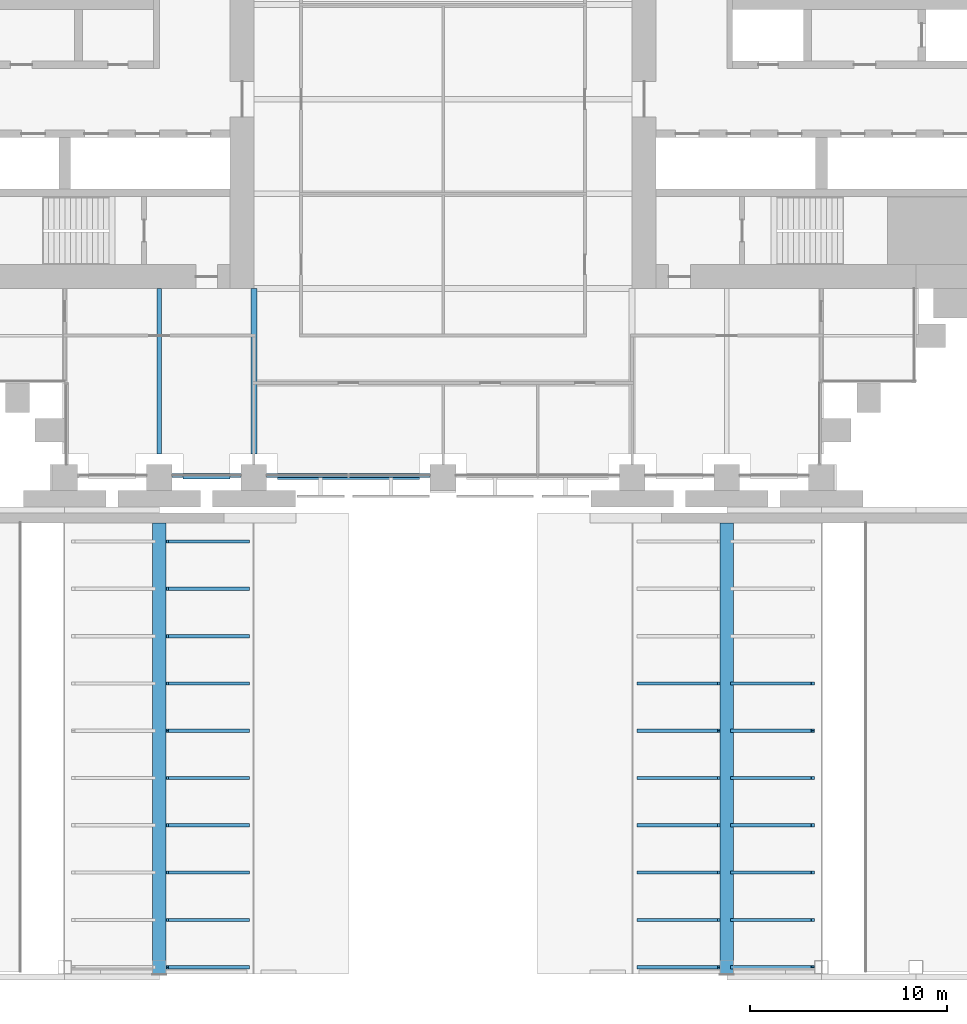
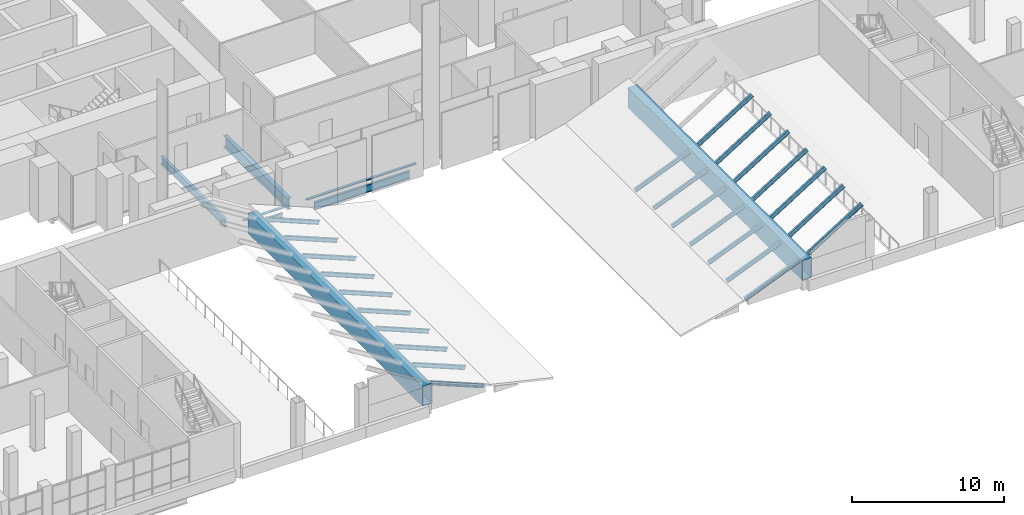
# One storey, part 7 of 32: 30 beams, 2 members, 1 element without a shape of its own.
"""IFC4 building model written with IfcOpenShell, lengths in metres."""

import ifcopenshell
import ifcopenshell.guid

model = None  # the IFC model being written
_history = None  # IfcOwnerHistory: only IFC2X3 demands one
_inside = {}  # id of a spatial element -> (the spatial element, [elements in it])
_under = {}  # id of a project, library or spatial element -> (it, [spatial elements below it])
_declared = {}  # id of a project -> (the project, [libraries it declares])
_typed = {}  # id of a type object -> (the type object, [elements of that type])
_made_of = {}  # id of a material, layer set ... -> (it, [elements and type objects made of it])


def new_model(schema):
    """Start an empty IFC model of exactly this schema.

    Asked for "IFC4X3", IfcOpenShell would pick the latest addendum, in which some entities
    have other attributes; the version numbers below select the first issue.
    IFC2X3 requires an IfcOwnerHistory on every rooted entity: one is made here for all.
    """
    global model, _history
    if schema == "IFC4X3":
        model = ifcopenshell.file(schema_version=(4, 3, 0, 0))
    else:
        model = ifcopenshell.file(schema=schema)
    _inside.clear()
    _under.clear()
    _declared.clear()
    _typed.clear()
    _made_of.clear()
    _history = None
    if model.schema == "IFC2X3":
        org = make("IfcOrganization", Name="unknown")
        user = make(
            "IfcPersonAndOrganization",
            ThePerson=make("IfcPerson", FamilyName="unknown"),
            TheOrganization=org,
        )
        app = make(
            "IfcApplication",
            ApplicationDeveloper=org,
            Version="unknown",
            ApplicationFullName="unknown",
            ApplicationIdentifier="unknown",
        )
        _history = make(
            "IfcOwnerHistory",
            OwningUser=user,
            OwningApplication=app,
            ChangeAction="ADDED",
            CreationDate=0,
        )
    return model


def make(cls, **values):
    """One entity of the class cls with the attributes given. An attribute that is None is left unset."""
    return model.create_entity(
        cls, **{name: value for name, value in values.items() if value is not None}
    )


def rooted(cls, **values):
    """An entity with a GlobalId (a new one), such as an element, a storey or a relation."""
    return make(cls, GlobalId=ifcopenshell.guid.new(), OwnerHistory=_history, **values)


def si_unit(unit_type, name, prefix=None):
    """IfcSIUnit, for example si_unit("LENGTHUNIT", "METRE", prefix="MILLI")."""
    return make("IfcSIUnit", UnitType=unit_type, Prefix=prefix, Name=name)


def assignment(units):
    """IfcUnitAssignment: the units of a project."""
    return None if units is None else make("IfcUnitAssignment", Units=units)


def point(xyz):
    """IfcCartesianPoint."""
    return None if xyz is None else make("IfcCartesianPoint", Coordinates=xyz)


def direction(xyz):
    """IfcDirection."""
    return None if xyz is None else make("IfcDirection", DirectionRatios=xyz)


def frame(location, z_axis=None, x_axis=None):
    """IfcAxis2Placement3D, a coordinate frame: its origin and axes. An axis left out is left unset."""
    return make(
        "IfcAxis2Placement3D",
        Location=point(location),
        Axis=direction(z_axis),
        RefDirection=direction(x_axis),
    )


def frame_2d(location, x_axis=None):
    """IfcAxis2Placement2D, a coordinate frame in the plane: its origin and x axis."""
    return make(
        "IfcAxis2Placement2D", Location=point(location), RefDirection=direction(x_axis)
    )


def origin():
    """The frame at (0, 0, 0) with its axes left unset."""
    return frame((0.0, 0.0, 0.0))


def origin_2d():
    """The frame at (0, 0) in the plane with its x axis left unset."""
    return frame_2d((0.0, 0.0))


def place(relative_to, where):
    """IfcLocalPlacement: puts the frame where relative to a parent placement (None: the world)."""
    return make(
        "IfcLocalPlacement", PlacementRelTo=relative_to, RelativePlacement=where
    )


def context(
    kind, dimensions, precision=None, world=None, true_north=None, identifier=None
):
    """IfcGeometricRepresentationContext, for example the 3D "Model" context."""
    return make(
        "IfcGeometricRepresentationContext",
        ContextIdentifier=identifier,
        ContextType=kind,
        CoordinateSpaceDimension=dimensions,
        Precision=precision,
        WorldCoordinateSystem=world,
        TrueNorth=true_north,
    )


def subcontext(parent, identifier, kind, view, scale=None):
    """IfcGeometricRepresentationSubContext, for example "Body" below "Model"."""
    return make(
        "IfcGeometricRepresentationSubContext",
        ContextIdentifier=identifier,
        ContextType=kind,
        ParentContext=parent,
        TargetScale=scale,
        TargetView=view,
    )


def project(units=None, contexts=None):
    """IfcProject with its units and contexts."""
    return rooted(
        "IfcProject",
        Name="project",
        RepresentationContexts=contexts,
        UnitsInContext=assignment(units),
    )


def spatial(cls, under=None, at=None, **own):
    """A site, building, storey or space (cls), placed at a placement, below another one or the project."""
    s = rooted(cls, ObjectPlacement=at, **own)
    if under is not None:
        _under.setdefault(under.id(), (under, []))[1].append(s)
    return s


def profile(cls, at=None, kind="AREA", **sizes):
    """A parametric profile (cls). Its sizes go by their IFC names, for example OverallWidth=200.0."""
    return make(cls, ProfileType=kind, Position=at, **sizes)


def rectangle(**sizes):
    """IfcRectangleProfileDef."""
    return profile("IfcRectangleProfileDef", **sizes)


def hollow_rectangle(**sizes):
    """IfcRectangleHollowProfileDef."""
    return profile("IfcRectangleHollowProfileDef", **sizes)


def i_section(**sizes):
    """IfcIShapeProfileDef."""
    return profile("IfcIShapeProfileDef", **sizes)


def extrude(swept, where, along, depth):
    """IfcExtrudedAreaSolid: the profile swept, set in the frame where, extruded along a direction by depth."""
    return make(
        "IfcExtrudedAreaSolid",
        SweptArea=swept,
        Position=where,
        ExtrudedDirection=direction(along),
        Depth=depth,
    )


def shape(context_of_items, identifier, shape_type, items):
    """IfcShapeRepresentation: the items that make up one representation, for example the "Body"."""
    return make(
        "IfcShapeRepresentation",
        ContextOfItems=context_of_items,
        RepresentationIdentifier=identifier,
        RepresentationType=shape_type,
        Items=items,
    )


def material(Name=None, Category=None):
    """IfcMaterial."""
    return make("IfcMaterial", Name=Name, Category=Category)


def material_profile(
    of_material, cross_section, Name=None, Category=None, Priority=None
):
    """IfcMaterialProfile: a cross section and its material."""
    return make(
        "IfcMaterialProfile",
        Name=Name,
        Material=of_material,
        Profile=cross_section,
        Priority=Priority,
        Category=Category,
    )


def profile_set(profiles, Name=None, composite=None):
    """IfcMaterialProfileSet."""
    return make(
        "IfcMaterialProfileSet",
        Name=Name,
        MaterialProfiles=profiles,
        CompositeProfile=composite,
    )


def made_of(thing, what):
    """Note that an element or type object is made of a material, layer set ...; save() writes the relation."""
    if what is not None:
        _made_of.setdefault(what.id(), (what, []))[1].append(thing)
    return thing


def type_object(cls, material=None, **own):
    """A type object (cls), such as IfcWallType, which elements share."""
    return made_of(rooted(cls, **own), material)


def element(
    cls,
    number,
    at=None,
    inside=None,
    cuts=None,
    type_object=None,
    material=None,
    context=None,
    identifier="Body",
    shape_type=None,
    held_by="IfcProductDefinitionShape",
    body=None,
    shapes=None,
    **own,
):
    """One element of the class cls, such as IfcWall. Its Tag is "e" and its number.

    at: its placement. inside: the storey or other place that contains it. cuts: it is an
    opening in that element (IfcRelVoidsElement). A single representation is given by context,
    identifier, shape_type and body (its items); several are given by shapes. held_by: the class
    of the entity that holds the representations. save() writes the other relations.
    """
    e = rooted(cls, Tag="e%d" % number, ObjectPlacement=at, **own)
    if body is not None:
        shapes = [shape(context, identifier, shape_type, body)]
    if shapes is not None:
        e.Representation = make(held_by, Representations=shapes)
    if inside is not None:
        _inside.setdefault(inside.id(), (inside, []))[1].append(e)
    if cuts is not None:
        rooted(
            "IfcRelVoidsElement", RelatingBuildingElement=cuts, RelatedOpeningElement=e
        )
    if type_object is not None:
        _typed.setdefault(type_object.id(), (type_object, []))[1].append(e)
    return made_of(e, material)


def aggregate(whole, parts):
    """IfcRelAggregates: a whole, such as a stair, and the parts it consists of."""
    return rooted("IfcRelAggregates", RelatingObject=whole, RelatedObjects=parts)


def save(model, path):
    """Write the relations noted so far, then the file.

    IfcRelAggregates (storeys below a building ...), IfcRelContainedInSpatialStructure (elements
    in a storey), IfcRelDefinesByType, IfcRelAssociatesMaterial and IfcRelDeclares: one each for
    every whole, place, type object, material and project.
    """
    for whole, parts in _under.values():
        aggregate(whole, parts)
    for where, things in _inside.values():
        rooted(
            "IfcRelContainedInSpatialStructure",
            RelatedElements=things,
            RelatingStructure=where,
        )
    for kind, things in _typed.values():
        rooted("IfcRelDefinesByType", RelatedObjects=things, RelatingType=kind)
    for what, things in _made_of.values():
        rooted("IfcRelAssociatesMaterial", RelatedObjects=things, RelatingMaterial=what)
    for by, libraries in _declared.values():
        rooted("IfcRelDeclares", RelatingContext=by, RelatedDefinitions=libraries)
    model.write(path)


model = new_model("IFC4")

# Units and contexts
model_context = context("Model", 3, precision=1e-05, world=origin(), true_north=direction((0.0, 1.0)))
body_context = subcontext(model_context, "Body", "Model", "MODEL_VIEW")
ifc_project = project(units=[si_unit("LENGTHUNIT", "METRE"), si_unit("AREAUNIT", "SQUARE_METRE"), si_unit("VOLUMEUNIT", "CUBIC_METRE"), si_unit("PLANEANGLEUNIT", "RADIAN"), si_unit("MASSUNIT", "GRAM", prefix="KILO")], contexts=[model_context])

# Site, building, storey
site_placement = place(None, origin())
site = spatial("IfcSite", under=ifc_project, at=site_placement, CompositionType="ELEMENT")
building_placement = place(site_placement, origin())
building = spatial("IfcBuilding", under=site, at=building_placement, Name="Baori Bourse Tower", CompositionType="ELEMENT")
storey_placement = place(building_placement, frame((0.0, 0.0, 12.60009765625)))
storey = spatial("IfcBuildingStorey", under=building, at=storey_placement, Name="L01", CompositionType="ELEMENT", Elevation=12.60009765625)

# Curtain wall, members
ifc_material_1 = material(Name="Pale anodised aluminium", Category="aluminium")
curtain_wall_type = type_object("IfcCurtainWallType", Name="CW1 Curtain wall", PredefinedType="NOTDEFINED", material=ifc_material_1)
curtain_wall_placement = place(storey_placement, origin())
curtain_wall = element("IfcCurtainWall", 1, at=curtain_wall_placement, inside=storey, type_object=curtain_wall_type, Name="Curtain wall CW1 L01 11", PredefinedType="NOTDEFINED")
ifc_material_2 = material(Name="Pale anodised aluminium", Category="aluminium")
ifc_material_profile_1 = material_profile(ifc_material_2, rectangle(XDim=0.199951171875, YDim=0.080078125, at=origin_2d()), Name="Transom 80x200")
ifc_profile_set_1 = profile_set([ifc_material_profile_1], Name="Pale anodised aluminium")
member_type = type_object("IfcMemberType", Name="CW1 Curtain wall transom", PredefinedType="USERDEFINED", material=ifc_profile_set_1)
member_1_placement = place(storey_placement, frame((15.050048828125, 0.10009765625, 0.039794921875), z_axis=(1.0, 0.0, 0.0), x_axis=(0.0, 1.0, 0.0)))
member_1 = element("IfcMember", 2, at=member_1_placement, type_object=member_type, Name="Curtain wall CW1 sill rail", ObjectType="TRANSOM", PredefinedType="USERDEFINED", context=body_context, shape_type="SweptSolid", body=[
    extrude(rectangle(XDim=0.199951171875, YDim=0.080078125, at=origin_2d()), origin(), (0.0, 0.0, 1.0), 3.5),
])
member_2_placement = place(storey_placement, frame((19.85009765625, 0.10009765625, 0.039794921875), z_axis=(1.0, 0.0, 0.0), x_axis=(0.0, 1.0, 0.0)))
member_2 = element("IfcMember", 3, at=member_2_placement, type_object=member_type, Name="Curtain wall CW1 sill rail", ObjectType="TRANSOM", PredefinedType="USERDEFINED", context=body_context, shape_type="SweptSolid", body=[
    extrude(rectangle(XDim=0.199951171875, YDim=0.080078125, at=origin_2d()), origin(), (0.0, 0.0, 1.0), 8.2998046875),
])
aggregate(curtain_wall, [member_1, member_2])

# Beams
ifc_material_3 = material(Name="Steel A992 Gr 50", Category="steel")
ifc_material_profile_2 = material_profile(ifc_material_3, i_section(OverallWidth=0.140380859375, OverallDepth=0.40380859375, WebThickness=0.007080078125, FlangeThickness=0.01123046875, at=origin_2d()), Name="W16x31")
ifc_profile_set_2 = profile_set([ifc_material_profile_2], Name="Steel A992 Gr 50")
beam_type_1 = type_object("IfcBeamType", Name="Edge beam W16x31", PredefinedType="BEAM", material=ifc_profile_set_2)
beam_1_placement = place(storey_placement, frame((15.60009765625, 0.0, -0.501953125), z_axis=(1.0, 0.0, 0.0), x_axis=(0.0, 1.0, 0.0)))
element("IfcBeam", 4, at=beam_1_placement, inside=storey, type_object=beam_type_1, Name="Edge beam L01", PredefinedType="BEAM", context=body_context, shape_type="SweptSolid", body=[
    extrude(i_section(OverallWidth=0.140380859375, OverallDepth=0.40380859375, WebThickness=0.007080078125, FlangeThickness=0.01123046875, at=origin_2d()), origin(), (0.0, 0.0, 1.0), 2.39990234375),
])
ifc_material_4 = material(Name="Steel A992 Gr 50", Category="steel")
ifc_material_profile_3 = material_profile(ifc_material_4, i_section(OverallWidth=0.177978515625, OverallDepth=0.599365234375, WebThickness=0.010009765625, FlangeThickness=0.012939453125, at=origin_2d()), Name="W24x55")
ifc_profile_set_3 = profile_set([ifc_material_profile_3], Name="Steel A992 Gr 50")
beam_type_2 = type_object("IfcBeamType", Name="Edge beam W24x55", PredefinedType="BEAM", material=ifc_profile_set_3)
beam_2_placement = place(storey_placement, frame((20.39990234375, 0.0, -0.599853515625), z_axis=(1.0, 0.0, 0.0), x_axis=(0.0, 1.0, 0.0)))
element("IfcBeam", 5, at=beam_2_placement, inside=storey, type_object=beam_type_2, Name="Edge beam L01", PredefinedType="BEAM", context=body_context, shape_type="SweptSolid", body=[
    extrude(i_section(OverallWidth=0.177978515625, OverallDepth=0.599365234375, WebThickness=0.010009765625, FlangeThickness=0.012939453125, at=origin_2d()), origin(), (0.0, 0.0, 1.0), 7.2001953125),
])
ifc_material_5 = material(Name="Steel A992 Gr 50", Category="steel")
ifc_material_profile_4 = material_profile(ifc_material_5, i_section(OverallWidth=0.227783203125, OverallDepth=0.60205078125, WebThickness=0.010498046875, FlangeThickness=0.014892578125, at=origin_2d()), Name="W24x68")
ifc_profile_set_4 = profile_set([ifc_material_profile_4], Name="Steel A992 Gr 50")
beam_type_3 = type_object("IfcBeamType", Name="Floor beam W24x68", PredefinedType="BEAM", material=ifc_profile_set_4)
beam_3_placement = place(storey_placement, frame((14.39990234375, 1.199951171875, -0.60107421875), z_axis=(0.0, 1.0, 0.0), x_axis=(-1.0, 0.0, 0.0)))
element("IfcBeam", 6, at=beam_3_placement, inside=storey, type_object=beam_type_3, Name="Floor beam L01", PredefinedType="BEAM", context=body_context, shape_type="SweptSolid", body=[
    extrude(i_section(OverallWidth=0.227783203125, OverallDepth=0.60205078125, WebThickness=0.010498046875, FlangeThickness=0.014892578125, at=origin_2d()), origin(), (0.0, 0.0, 1.0), 8.400146484375),
])
ifc_material_6 = material(Name="Steel A992 Gr 50", Category="steel")
ifc_material_profile_5 = material_profile(ifc_material_6, i_section(OverallWidth=0.3046875, OverallDepth=0.904296875, WebThickness=0.01513671875, FlangeThickness=0.02001953125, at=origin_2d()), Name="W36x135")
ifc_profile_set_5 = profile_set([ifc_material_profile_5], Name="Steel A992 Gr 50")
beam_type_4 = type_object("IfcBeamType", Name="Girder W36x135", PredefinedType="BEAM", material=ifc_profile_set_5)
beam_4_placement = place(storey_placement, frame((19.199951171875, 1.199951171875, -0.752197265625), z_axis=(0.0, 1.0, 0.0), x_axis=(-1.0, 0.0, 0.0)))
element("IfcBeam", 7, at=beam_4_placement, inside=storey, type_object=beam_type_4, Name="Girder L01", PredefinedType="BEAM", context=body_context, shape_type="SweptSolid", body=[
    extrude(i_section(OverallWidth=0.3046875, OverallDepth=0.904296875, WebThickness=0.01513671875, FlangeThickness=0.02001953125, at=origin_2d()), origin(), (0.0, 0.0, 1.0), 8.400146484375),
])
ifc_material_7 = material(Name="Steel A572 Gr 50", Category="steel")
ifc_material_profile_6 = material_profile(ifc_material_7, hollow_rectangle(XDim=0.699951171875, YDim=1.60009765625, WallThickness=0.030029296875, at=origin_2d()), Name="BOX 1600x700x30")
ifc_profile_set_6 = profile_set([ifc_material_profile_6], Name="Steel A572 Gr 50")
beam_type_5 = type_object("IfcBeamType", Name="Hall box girder 1600x700", PredefinedType="BEAM", material=ifc_profile_set_6)
for number, where, z_axis, x_axis, name in (
    (8, (14.39990234375, -25.199951171875, 1.6220703125), (0.0, 1.0, 0.0), (-1.0, 0.0, 0.0), "wing/L01/girder/001"),
    (9, (43.199951171875, -25.199951171875, 1.6220703125), (0.0, 1.0, 0.0), (-1.0, 0.0, 0.0), "wing/L01/girder/002"),
):
    element("IfcBeam", number, at=place(storey_placement, frame(where, z_axis=z_axis, x_axis=x_axis)), inside=storey, type_object=beam_type_5, Name=name, PredefinedType="BEAM", context=body_context, shape_type="SweptSolid", body=[
        extrude(hollow_rectangle(XDim=0.699951171875, YDim=1.60009765625, WallThickness=0.030029296875, at=origin_2d()), origin(), (0.0, 0.0, 1.0), 22.89990234375),
    ])
ifc_material_8 = material(Name="Steel A992 Gr 50", Category="steel")
ifc_material_profile_7 = material_profile(ifc_material_8, i_section(OverallWidth=0.164794921875, OverallDepth=0.309814453125, WebThickness=0.005859375, FlangeThickness=0.009765625, at=origin_2d()), Name="W12x26")
ifc_profile_set_7 = profile_set([ifc_material_profile_7], Name="Steel A992 Gr 50")
beam_type_6 = type_object("IfcBeamType", Name="Wing beam W12x26", PredefinedType="BEAM", material=ifc_profile_set_7)
for number, where, z_axis, x_axis, name in (
    (10, (14.80859375, -24.85009765625, 2.2490234375), (0.925629462907, 0.0, -0.378431099936), (0.0, 1.0, 0.0), "wing/L01/purlin/011"),
    (11, (14.80859375, -22.449951171875, 2.2490234375), (0.925629462907, 0.0, -0.378431099936), (0.0, 1.0, 0.0), "wing/L01/purlin/012"),
    (12, (14.80859375, -20.050048828125, 2.2490234375), (0.925629462907, 0.0, -0.378431099936), (0.0, 1.0, 0.0), "wing/L01/purlin/013"),
    (13, (14.80859375, -17.64990234375, 2.2490234375), (0.925629462907, 0.0, -0.378431099936), (0.0, 1.0, 0.0), "wing/L01/purlin/014"),
    (14, (14.80859375, -15.25, 2.2490234375), (0.925629462907, 0.0, -0.378431099936), (0.0, 1.0, 0.0), "wing/L01/purlin/015"),
    (15, (14.80859375, -12.85009765625, 2.2490234375), (0.925629462907, 0.0, -0.378431099936), (0.0, 1.0, 0.0), "wing/L01/purlin/016"),
    (16, (14.80859375, -10.449951171875, 2.2490234375), (0.925629462907, 0.0, -0.378431099936), (0.0, 1.0, 0.0), "wing/L01/purlin/017"),
    (17, (14.80859375, -8.050048828125, 2.2490234375), (0.925629462907, 0.0, -0.378431099936), (0.0, 1.0, 0.0), "wing/L01/purlin/018"),
    (18, (14.80859375, -5.64990234375, 2.2490234375), (0.925629462907, 0.0, -0.378431099936), (0.0, 1.0, 0.0), "wing/L01/purlin/019"),
    (19, (14.80859375, -3.25, 2.2490234375), (0.925629462907, 0.0, -0.378431099936), (0.0, 1.0, 0.0), "wing/L01/purlin/020"),
):
    element("IfcBeam", number, at=place(storey_placement, frame(where, z_axis=z_axis, x_axis=x_axis)), inside=storey, type_object=beam_type_6, Name=name, PredefinedType="BEAM", context=body_context, shape_type="SweptSolid", body=[
        extrude(i_section(OverallWidth=0.164794921875, OverallDepth=0.309814453125, WebThickness=0.005859375, FlangeThickness=0.009765625, at=origin_2d()), origin(), (0.0, 0.0, 1.0), 4.429443359375),
    ])
for number, where, z_axis, x_axis, name in (
    (20, (38.69140625, -24.85009765625, 0.57275390625), (0.925621569038, 0.0, 0.378450407492), (0.0, 1.0, 0.0), "wing/L01/purlin/021"),
    (21, (38.69140625, -22.449951171875, 0.57275390625), (0.925621569038, 0.0, 0.378450407492), (0.0, 1.0, 0.0), "wing/L01/purlin/022"),
    (22, (38.69140625, -20.050048828125, 0.57275390625), (0.925621569038, 0.0, 0.378450407492), (0.0, 1.0, 0.0), "wing/L01/purlin/023"),
    (23, (38.69140625, -17.64990234375, 0.57275390625), (0.925621569038, 0.0, 0.378450407492), (0.0, 1.0, 0.0), "wing/L01/purlin/024"),
    (24, (38.69140625, -15.25, 0.57275390625), (0.925621569038, 0.0, 0.378450407492), (0.0, 1.0, 0.0), "wing/L01/purlin/025"),
    (25, (38.69140625, -12.85009765625, 0.57275390625), (0.925621569038, 0.0, 0.378450407492), (0.0, 1.0, 0.0), "wing/L01/purlin/026"),
    (26, (38.69140625, -10.449951171875, 0.57275390625), (0.925621569038, 0.0, 0.378450407492), (0.0, 1.0, 0.0), "wing/L01/purlin/027"),
):
    element("IfcBeam", number, at=place(storey_placement, frame(where, z_axis=z_axis, x_axis=x_axis)), inside=storey, type_object=beam_type_6, Name=name, PredefinedType="BEAM", context=body_context, shape_type="SweptSolid", body=[
        extrude(i_section(OverallWidth=0.164794921875, OverallDepth=0.309814453125, WebThickness=0.005859375, FlangeThickness=0.009765625, at=origin_2d()), origin(), (0.0, 0.0, 1.0), 4.42919921875),
    ])
for number, where, z_axis, x_axis, name in (
    (27, (43.4677734375, -24.85009765625, 2.553466796875), (0.847867807961, 0.0, 0.530207676504), (0.0, 1.0, 0.0), "wing/L01/purlin/031"),
    (28, (43.4677734375, -22.449951171875, 2.553466796875), (0.847867807961, 0.0, 0.530207676504), (0.0, 1.0, 0.0), "wing/L01/purlin/032"),
    (29, (43.4677734375, -20.050048828125, 2.553466796875), (0.847867807961, 0.0, 0.530207676504), (0.0, 1.0, 0.0), "wing/L01/purlin/033"),
    (30, (43.4677734375, -17.64990234375, 2.553466796875), (0.847867807961, 0.0, 0.530207676504), (0.0, 1.0, 0.0), "wing/L01/purlin/034"),
    (31, (43.4677734375, -15.25, 2.553466796875), (0.847867807961, 0.0, 0.530207676504), (0.0, 1.0, 0.0), "wing/L01/purlin/035"),
    (32, (43.4677734375, -12.85009765625, 2.553466796875), (0.847867807961, 0.0, 0.530207676504), (0.0, 1.0, 0.0), "wing/L01/purlin/036"),
    (33, (43.4677734375, -10.449951171875, 2.553466796875), (0.847867807961, 0.0, 0.530207676504), (0.0, 1.0, 0.0), "wing/L01/purlin/037"),
):
    element("IfcBeam", number, at=place(storey_placement, frame(where, z_axis=z_axis, x_axis=x_axis)), inside=storey, type_object=beam_type_6, Name=name, PredefinedType="BEAM", context=body_context, shape_type="SweptSolid", body=[
        extrude(i_section(OverallWidth=0.164794921875, OverallDepth=0.309814453125, WebThickness=0.005859375, FlangeThickness=0.009765625, at=origin_2d()), origin(), (0.0, 0.0, 1.0), 4.835693359375),
    ])

save(model, "model.ifc")
